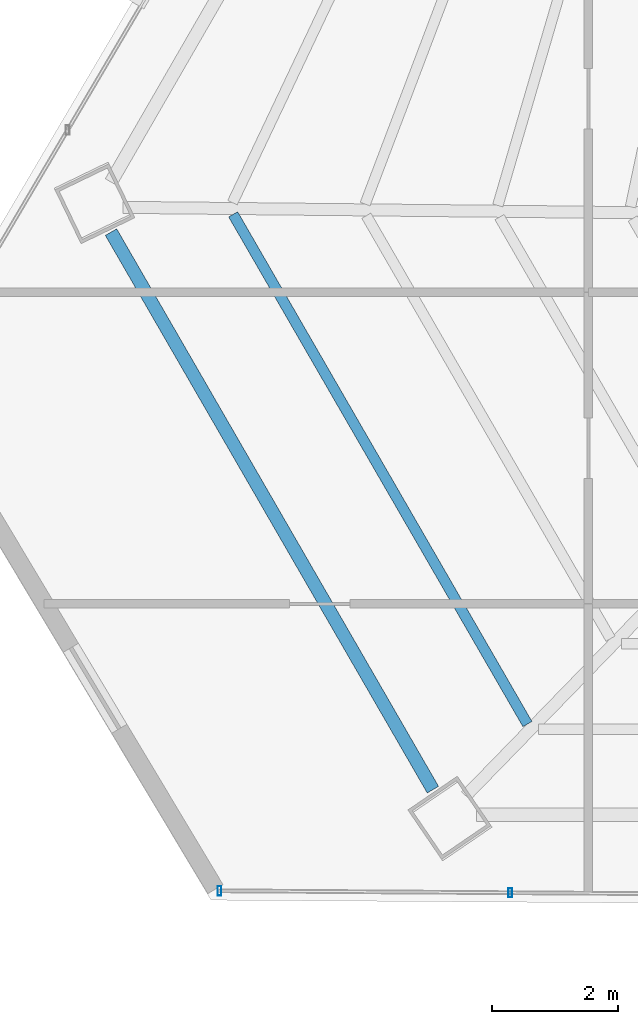
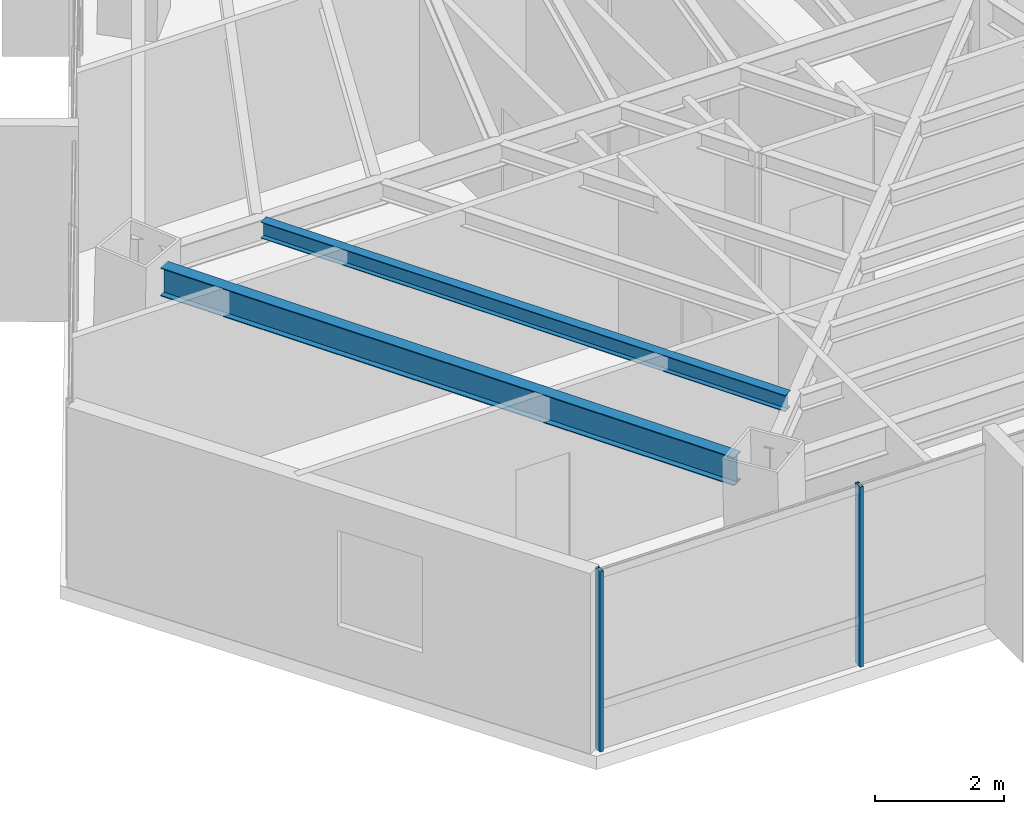
# One storey, part 2 of 41: 2 beams, 2 members, 1 element without a shape of its own.
"""IFC4 building model written with IfcOpenShell, lengths in metres."""

from ifc_helpers import new_model, si_unit, direction, frame, origin, origin_2d, place, context, subcontext, project, spatial, hollow_rectangle, i_section, extrude, source, transform, mapped, material, material_profile, profile_set, type_object, type_shapes, element, aggregate, save


model = new_model("IFC4")

# Units and contexts
model_context = context("Model", 3, precision=1e-05, world=origin(), true_north=direction((0.0, 1.0)))
body_context = subcontext(model_context, "Body", "Model", "MODEL_VIEW")
ifc_project = project(units=[si_unit("LENGTHUNIT", "METRE"), si_unit("AREAUNIT", "SQUARE_METRE"), si_unit("VOLUMEUNIT", "CUBIC_METRE"), si_unit("PLANEANGLEUNIT", "RADIAN"), si_unit("MASSUNIT", "GRAM", prefix="KILO")], contexts=[model_context])

# Site, building, storey
site_placement = place(None, origin())
site = spatial("IfcSite", under=ifc_project, at=site_placement, CompositionType="ELEMENT")
building_placement = place(site_placement, origin())
building = spatial("IfcBuilding", under=site, at=building_placement, Name="Caelisora Broadcast Tower", CompositionType="ELEMENT")
storey_placement = place(building_placement, frame((0.0, 0.0, 180.39990234375)))
storey = spatial("IfcBuildingStorey", under=building, at=storey_placement, Name="L47", CompositionType="ELEMENT", Elevation=180.39990234375)

# Beams
ifc_material_1 = material(Name="Steel Grade 350 (AS/NZS 3679.1)", Category="steel")
ifc_material_profile_1 = material_profile(ifc_material_1, i_section(OverallWidth=0.208984375, OverallDepth=0.532958984375, WebThickness=0.01025390625, FlangeThickness=0.015625, at=origin_2d()), Name="Steel Grade 350 (AS/NZS 3679.1)")
ifc_profile_set_1 = profile_set([ifc_material_profile_1], Name="Steel Grade 350 (AS/NZS 3679.1)")
beam_type_1 = type_object("IfcBeamType", Name="PG05", PredefinedType="BEAM", material=ifc_profile_set_1)
shared_shape_1 = source(origin(), body_context, "Body", "SweptSolid", [
    extrude(i_section(OverallWidth=0.208984375, OverallDepth=0.532958984375, WebThickness=0.01025390625, FlangeThickness=0.015625, at=origin_2d()), origin(), (0.0, 0.0, 1.0), 10.228515625),
])
type_shapes(beam_type_1, [shared_shape_1])
beam_1_placement = place(storey_placement, frame((15.916259765625, 17.155517578125, 3.133544921875), z_axis=(0.500000003276, -0.866025401893, 0.0), x_axis=(0.866025401893, 0.500000003276, 0.0)))
element("IfcBeam", 1, at=beam_1_placement, inside=storey, type_object=beam_type_1, Name="L47 beam PG05", PredefinedType="BEAM", context=body_context, shape_type="MappedRepresentation", body=[
    mapped(shared_shape_1, transform((0.0, 0.0, 0.0), scale=1.0)),
])
ifc_material_profile_2 = material_profile(ifc_material_1, i_section(OverallWidth=0.166015625, OverallDepth=0.30712890625, WebThickness=0.006591796875, FlangeThickness=0.01171875, at=origin_2d()), Name="Steel Grade 350 (AS/NZS 3679.1)")
ifc_profile_set_2 = profile_set([ifc_material_profile_2], Name="Steel Grade 350 (AS/NZS 3679.1)")
beam_type_2 = type_object("IfcBeamType", Name="SB03", PredefinedType="JOIST", material=ifc_profile_set_2)
shared_shape_2 = source(origin(), body_context, "Body", "SweptSolid", [
    extrude(i_section(OverallWidth=0.166015625, OverallDepth=0.30712890625, WebThickness=0.006591796875, FlangeThickness=0.01171875, at=origin_2d()), origin(), (0.0, 0.0, 1.0), 9.351806640625),
])
type_shapes(beam_type_2, [shared_shape_2])
beam_2_placement = place(storey_placement, frame((17.8564453125, 17.4384765625, 3.24658203125), z_axis=(0.500010955145, -0.866019078736, 0.0), x_axis=(0.866019078736, 0.500010955145, 0.0)))
element("IfcBeam", 2, at=beam_2_placement, inside=storey, type_object=beam_type_2, Name="L47 beam SB03", PredefinedType="JOIST", context=body_context, shape_type="MappedRepresentation", body=[
    mapped(shared_shape_2, transform((0.0, 0.0, 0.0), scale=1.0)),
])

# Curtain wall, members
ifc_material_2 = material(Name="Unitised Aluminium and Low-E Glass Curtain Wall", Category="glass")
curtain_wall_type = type_object("IfcCurtainWallType", Name="CW-Z3", PredefinedType="NOTDEFINED", material=ifc_material_2)
curtain_wall_placement = place(storey_placement, origin())
curtain_wall = element("IfcCurtainWall", 3, at=curtain_wall_placement, inside=storey, type_object=curtain_wall_type, Name="L47 curtain wall CW-Z3", PredefinedType="NOTDEFINED")
ifc_material_3 = material(Name="Aluminium 6063-T6 Anodised Terracotta Bronze", Category="aluminium")
ifc_material_profile_3 = material_profile(ifc_material_3, hollow_rectangle(XDim=0.06005859375, YDim=0.14990234375, WallThickness=0.00341796875, at=origin_2d()), Name="Aluminium 6063-T6 Anodised Terracotta Bronze")
ifc_profile_set_3 = profile_set([ifc_material_profile_3], Name="Aluminium 6063-T6 Anodised Terracotta Bronze")
member_type = type_object("IfcMemberType", Name="CWM-03", PredefinedType="MULLION", material=ifc_profile_set_3)
shared_shape_3 = source(origin(), body_context, "Body", "SweptSolid", [
    extrude(hollow_rectangle(XDim=0.06005859375, YDim=0.14990234375, WallThickness=0.00341796875, at=origin_2d()), origin(), (0.0, 0.0, 1.0), 3.400146484375),
])
type_shapes(member_type, [shared_shape_3])
member_1_placement = place(storey_placement, frame((22.259521484375, 6.659912109375, 0.0), z_axis=(0.0, 0.0, 1.0), x_axis=(1.0, 0.0, 0.0)))
member_1 = element("IfcMember", 4, at=member_1_placement, type_object=member_type, Name="L47-CW-B07 mullion #2", PredefinedType="MULLION", context=body_context, shape_type="MappedRepresentation", body=[
    mapped(shared_shape_3, transform((0.0, 0.0, 0.0), scale=1.0)),
])
member_2_placement = place(storey_placement, frame((17.639892578125, 6.690673828125, 0.0), z_axis=(0.0, 0.0, 1.0), x_axis=(1.0, 0.0, 0.0)))
member_2 = element("IfcMember", 5, at=member_2_placement, type_object=member_type, Name="L47-CW-B07 mullion #3", PredefinedType="MULLION", context=body_context, shape_type="MappedRepresentation", body=[
    mapped(shared_shape_3, transform((0.0, 0.0, 0.0), scale=1.0)),
])
aggregate(curtain_wall, [member_1, member_2])

save(model, "model.ifc")
